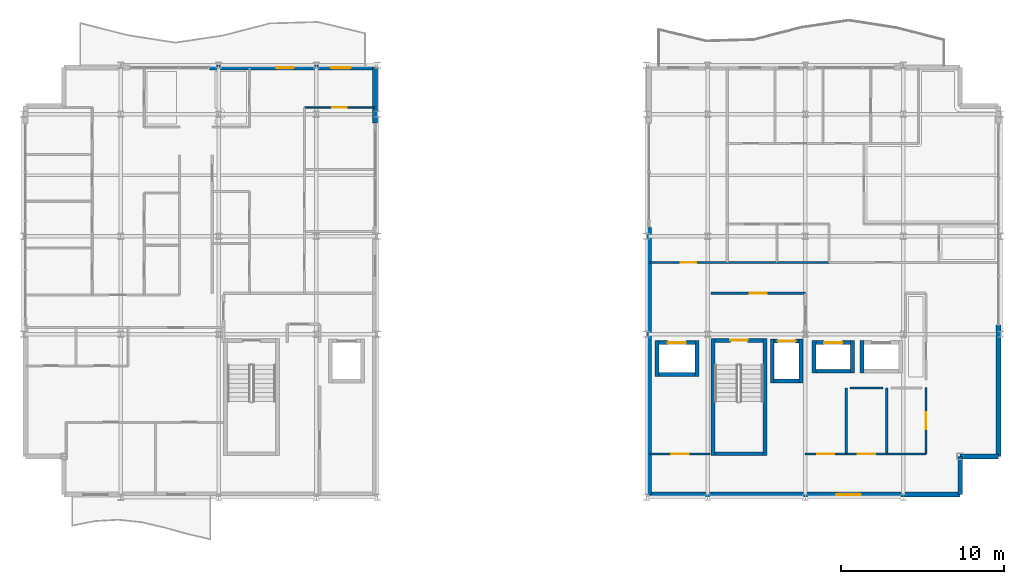
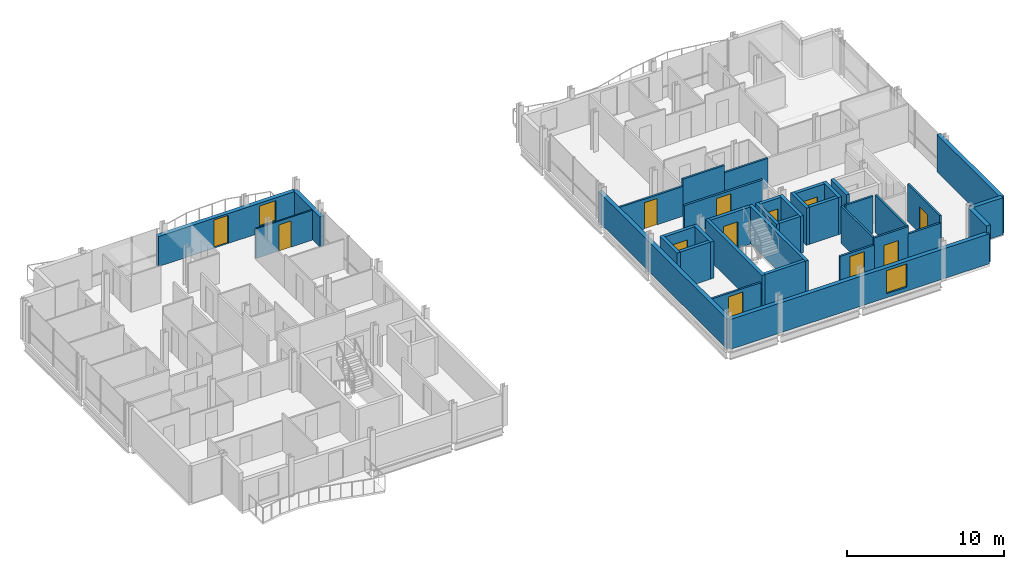
# One storey, part 25 of 29: 37 walls, 12 doors, 2 windows, 14 openings.
"""IFC4 building model written with IfcOpenShell, lengths in metres."""

from ifc_helpers import new_model, si_unit, direction, frame, frame_2d, origin, place, context, subcontext, project, spatial, rectangle, extrude, material, layer, layer_set, type_object, element, fill, save


model = new_model("IFC4")

# Units and contexts
model_context = context("Model", 3, precision=1e-05, world=origin(), true_north=direction((0.0, 1.0)))
body_context = subcontext(model_context, "Body", "Model", "MODEL_VIEW")
ifc_project = project(units=[si_unit("LENGTHUNIT", "METRE"), si_unit("AREAUNIT", "SQUARE_METRE"), si_unit("VOLUMEUNIT", "CUBIC_METRE"), si_unit("PLANEANGLEUNIT", "RADIAN"), si_unit("MASSUNIT", "GRAM", prefix="KILO")], contexts=[model_context])

# Site, building, storey
site_placement = place(None, origin())
site = spatial("IfcSite", under=ifc_project, at=site_placement, CompositionType="ELEMENT")
building_placement = place(site_placement, origin())
building = spatial("IfcBuilding", under=site, at=building_placement, Name="Brevholm Reach", CompositionType="ELEMENT")
storey_placement = place(building_placement, frame((0.0, 0.0, 208.0)))
storey = spatial("IfcBuildingStorey", under=building, at=storey_placement, Name="L63", CompositionType="ELEMENT", Elevation=208.0)

# Walls
ifc_material_1 = material(Name="Concrete C45/55", Category="concrete")
ifc_layer_1 = layer(ifc_material_1, 0.239990234375)
ifc_layer_set_1 = layer_set([ifc_layer_1], Name="Concrete C45/55")
wall_type_1 = type_object("IfcWallType", Name="WAL-COR-240", PredefinedType="SHEAR", material=ifc_layer_set_1)
for number, where, z_axis, x_axis, name in (
    (1, (42.330078125, 2.5400390625, 0.0), (0.0, 0.0, 1.0), (0.0, 1.0, 0.0), "L63 Escape Stair ST-2 Core Wall W"),
    (2, (45.52001953125, 2.5400390625, 0.0), (0.0, 0.0, 1.0), (0.0, 1.0, 0.0), "L63 Escape Stair ST-2 Core Wall E"),
):
    element("IfcWall", number, at=place(storey_placement, frame(where, z_axis=z_axis, x_axis=x_axis)), inside=storey, type_object=wall_type_1, Name=name, PredefinedType="SHEAR", context=body_context, shape_type="SweptSolid", body=[
        extrude(rectangle(XDim=7.199951171875, YDim=0.239990234375, at=frame_2d((3.60009765625, 0.0))), origin(), (0.0, 0.0, 1.0), 2.889892578125),
    ])
wall_1_placement = place(storey_placement, frame((42.449951171875, 2.659912109375, 0.0), z_axis=(0.0, 0.0, 1.0), x_axis=(1.0, 0.0, 0.0)))
element("IfcWall", 3, at=wall_1_placement, inside=storey, type_object=wall_type_1, Name="L63 Escape Stair ST-2 Core Wall S", PredefinedType="SHEAR", context=body_context, shape_type="SweptSolid", body=[
    extrude(rectangle(XDim=2.949951171875, YDim=0.239990234375, at=frame_2d((1.47509765625, 0.0))), origin(), (0.0, 0.0, 1.0), 2.889892578125),
])

# Wall, opening, door
wall_2_placement = place(storey_placement, frame((45.39990234375, 9.6201171875, 0.0), z_axis=(0.0, 0.0, 1.0), x_axis=(-1.0, 0.0, 0.0)))
wall_2 = element("IfcWall", 4, at=wall_2_placement, inside=storey, type_object=wall_type_1, Name="L63 Escape Stair ST-2 Core Wall N", PredefinedType="SHEAR", context=body_context, shape_type="SweptSolid", body=[
    extrude(rectangle(XDim=2.949951171875, YDim=0.239990234375, at=frame_2d((1.47509765625, 0.0))), origin(), (0.0, 0.0, 1.0), 2.889892578125),
])
opening_1_placement = place(wall_2_placement, frame((0.949951171875, 0.0, 0.0)))
opening_1 = element("IfcOpeningElement", 5, at=opening_1_placement, cuts=wall_2, Name="Opening SD-ST-2", PredefinedType="OPENING", context=body_context, shape_type="SweptSolid", body=[
    extrude(rectangle(XDim=1.050048828125, YDim=2.06005859375, at=frame_2d((0.52490234375, 1.030029296875))), frame((0.0, 0.1298828125, 0.0), z_axis=(0.0, -1.0, 0.0), x_axis=(1.0, 0.0, 0.0)), (0.0, 0.0, 1.0), 0.260009765625),
])
ifc_material_2 = material(Name="Hardwood-Lipped Steel-Core Fire and Smoke Door", Category="steel")
door_type_1 = type_object("IfcDoorType", Name="DOR-INT-FD60S", OperationType="NOTDEFINED", PredefinedType="DOOR", material=ifc_material_2)
door_1_placement = place(opening_1_placement, origin())
door_1 = element("IfcDoor", 6, at=door_1_placement, inside=storey, type_object=door_type_1, Name="L63 Protected Stair ST-2 Lobby Door", OperationType="SINGLE_SWING_RIGHT", OverallHeight=2.06005859375, OverallWidth=1.050048828125, PredefinedType="DOOR", context=body_context, shape_type="SweptSolid", body=[
    extrude(rectangle(XDim=1.050048828125, YDim=2.06005859375, at=frame_2d((0.52490234375, 1.030029296875))), frame((0.0, 0.02490234375, 0.0), z_axis=(0.0, -1.0, 0.0), x_axis=(1.0, 0.0, 0.0)), (0.0, 0.0, 1.0), 0.050048828125),
])
fill(opening_1, door_1)

# Walls
for number, where, z_axis, x_axis, name in (
    (7, (45.969970703125, 7.0, 0.0), (0.0, 0.0, 1.0), (0.0, 1.0, 0.0), "L63 Lift FFL-2 Shaft Wall W"),
    (8, (47.72998046875, 7.0, 0.0), (0.0, 0.0, 1.0), (0.0, 1.0, 0.0), "L63 Lift FFL-2 Shaft Wall E"),
):
    element("IfcWall", number, at=place(storey_placement, frame(where, z_axis=z_axis, x_axis=x_axis)), inside=storey, type_object=wall_type_1, Name=name, PredefinedType="SHEAR", context=body_context, shape_type="SweptSolid", body=[
        extrude(rectangle(XDim=2.699951171875, YDim=0.239990234375, at=frame_2d((1.35009765625, 0.0))), origin(), (0.0, 0.0, 1.0), 2.889892578125),
    ])
wall_3_placement = place(storey_placement, frame((46.090087890625, 7.1201171875, 0.0), z_axis=(0.0, 0.0, 1.0), x_axis=(1.0, 0.0, 0.0)))
element("IfcWall", 9, at=wall_3_placement, inside=storey, type_object=wall_type_1, Name="L63 Lift FFL-2 Shaft Wall S", PredefinedType="SHEAR", context=body_context, shape_type="SweptSolid", body=[
    extrude(rectangle(XDim=1.52001953125, YDim=0.239990234375, at=frame_2d((0.760009765625, 0.0))), origin(), (0.0, 0.0, 1.0), 2.889892578125),
])

# Wall, opening, door
wall_4_placement = place(storey_placement, frame((46.090087890625, 9.580078125, 0.0), z_axis=(0.0, 0.0, 1.0), x_axis=(1.0, 0.0, 0.0)))
wall_4 = element("IfcWall", 10, at=wall_4_placement, inside=storey, type_object=wall_type_1, Name="L63 Lift FFL-2 Shaft Wall N", PredefinedType="SHEAR", context=body_context, shape_type="SweptSolid", body=[
    extrude(rectangle(XDim=1.52001953125, YDim=0.239990234375, at=frame_2d((0.760009765625, 0.0))), origin(), (0.0, 0.0, 1.0), 2.889892578125),
])
opening_2_placement = place(wall_4_placement, frame((0.2099609375, 0.0, 0.0)))
opening_2 = element("IfcOpeningElement", 11, at=opening_2_placement, cuts=wall_4, Name="Opening LD-FFL-2", PredefinedType="OPENING", context=body_context, shape_type="SweptSolid", body=[
    extrude(rectangle(XDim=1.10009765625, YDim=2.06005859375, at=frame_2d((0.550048828125, 1.030029296875))), frame((0.0, 0.1298828125, 0.0), z_axis=(0.0, -1.0, 0.0), x_axis=(1.0, 0.0, 0.0)), (0.0, 0.0, 1.0), 0.260009765625),
])
ifc_material_3 = material(Name="Brushed Stainless Steel Fire-Rated Sliding Lift Door", Category="steel")
door_type_2 = type_object("IfcDoorType", Name="DOR-LFT-1100", OperationType="NOTDEFINED", PredefinedType="DOOR", material=ifc_material_3)
door_2_placement = place(opening_2_placement, origin())
door_2 = element("IfcDoor", 12, at=door_2_placement, inside=storey, type_object=door_type_2, Name="L63 Lift FFL-2 Sliding Landing Door", OperationType="SLIDING_TO_RIGHT", OverallHeight=2.06005859375, OverallWidth=1.10009765625, PredefinedType="DOOR", context=body_context, shape_type="SweptSolid", body=[
    extrude(rectangle(XDim=1.10009765625, YDim=2.06005859375, at=frame_2d((0.550048828125, 1.030029296875))), frame((0.0, 0.02490234375, 0.0), z_axis=(0.0, -1.0, 0.0), x_axis=(1.0, 0.0, 0.0)), (0.0, 0.0, 1.0), 0.050048828125),
])
fill(opening_2, door_2)

# Walls
for number, where, z_axis, x_axis, name in (
    (13, (38.889892578125, 7.39990234375, 0.0), (0.0, 0.0, 1.0), (0.0, 1.0, 0.0), "L63 Lift PL-S1 Shaft Wall W"),
    (14, (41.35009765625, 7.39990234375, 0.0), (0.0, 0.0, 1.0), (0.0, 1.0, 0.0), "L63 Lift PL-S1 Shaft Wall E"),
):
    element("IfcWall", number, at=place(storey_placement, frame(where, z_axis=z_axis, x_axis=x_axis)), inside=storey, type_object=wall_type_1, Name=name, PredefinedType="SHEAR", context=body_context, shape_type="SweptSolid", body=[
        extrude(rectangle(XDim=2.2001953125, YDim=0.239990234375, at=frame_2d((1.10009765625, 0.0))), origin(), (0.0, 0.0, 1.0), 2.889892578125),
    ])
wall_5_placement = place(storey_placement, frame((39.010009765625, 7.52001953125, 0.0), z_axis=(0.0, 0.0, 1.0), x_axis=(1.0, 0.0, 0.0)))
element("IfcWall", 15, at=wall_5_placement, inside=storey, type_object=wall_type_1, Name="L63 Lift PL-S1 Shaft Wall S", PredefinedType="SHEAR", context=body_context, shape_type="SweptSolid", body=[
    extrude(rectangle(XDim=2.219970703125, YDim=0.239990234375, at=frame_2d((1.10986328125, 0.0))), origin(), (0.0, 0.0, 1.0), 2.889892578125),
])

# Wall, opening, door
wall_6_placement = place(storey_placement, frame((39.010009765625, 9.47998046875, 0.0), z_axis=(0.0, 0.0, 1.0), x_axis=(1.0, 0.0, 0.0)))
wall_6 = element("IfcWall", 16, at=wall_6_placement, inside=storey, type_object=wall_type_1, Name="L63 Lift PL-S1 Shaft Wall N", PredefinedType="SHEAR", context=body_context, shape_type="SweptSolid", body=[
    extrude(rectangle(XDim=2.219970703125, YDim=0.239990234375, at=frame_2d((1.10986328125, 0.0))), origin(), (0.0, 0.0, 1.0), 2.889892578125),
])
opening_3_placement = place(wall_6_placement, frame((0.56005859375, 0.0, 0.0)))
opening_3 = element("IfcOpeningElement", 17, at=opening_3_placement, cuts=wall_6, Name="Opening LD-PL-S1", PredefinedType="OPENING", context=body_context, shape_type="SweptSolid", body=[
    extrude(rectangle(XDim=1.10009765625, YDim=2.06005859375, at=frame_2d((0.550048828125, 1.030029296875))), frame((0.0, 0.1298828125, 0.0), z_axis=(0.0, -1.0, 0.0), x_axis=(1.0, 0.0, 0.0)), (0.0, 0.0, 1.0), 0.260009765625),
])
door_3_placement = place(opening_3_placement, origin())
door_3 = element("IfcDoor", 18, at=door_3_placement, inside=storey, type_object=door_type_2, Name="L63 Lift PL-S1 Sliding Landing Door", OperationType="SLIDING_TO_LEFT", OverallHeight=2.06005859375, OverallWidth=1.10009765625, PredefinedType="DOOR", context=body_context, shape_type="SweptSolid", body=[
    extrude(rectangle(XDim=1.10009765625, YDim=2.06005859375, at=frame_2d((0.550048828125, 1.030029296875))), frame((0.0, 0.02490234375, 0.0), z_axis=(0.0, -1.0, 0.0), x_axis=(1.0, 0.0, 0.0)), (0.0, 0.0, 1.0), 0.050048828125),
])
fill(opening_3, door_3)

# Walls
for number, where, z_axis, x_axis, name in (
    (19, (48.52001953125, 7.60009765625, 0.0), (0.0, 0.0, 1.0), (0.0, 1.0, 0.0), "L63 Lift PL-H1 Shaft Wall W"),
    (20, (50.8798828125, 7.60009765625, 0.0), (0.0, 0.0, 1.0), (0.0, 1.0, 0.0), "L63 Lift PL-H1 Shaft Wall E"),
):
    element("IfcWall", number, at=place(storey_placement, frame(where, z_axis=z_axis, x_axis=x_axis)), inside=storey, type_object=wall_type_1, Name=name, PredefinedType="SHEAR", context=body_context, shape_type="SweptSolid", body=[
        extrude(rectangle(XDim=2.0, YDim=0.239990234375, at=frame_2d((1.0, 0.0))), origin(), (0.0, 0.0, 1.0), 2.889892578125),
    ])
wall_7_placement = place(storey_placement, frame((48.639892578125, 7.719970703125, 0.0), z_axis=(0.0, 0.0, 1.0), x_axis=(1.0, 0.0, 0.0)))
element("IfcWall", 21, at=wall_7_placement, inside=storey, type_object=wall_type_1, Name="L63 Lift PL-H1 Shaft Wall S", PredefinedType="SHEAR", context=body_context, shape_type="SweptSolid", body=[
    extrude(rectangle(XDim=2.1201171875, YDim=0.239990234375, at=frame_2d((1.06005859375, 0.0))), origin(), (0.0, 0.0, 1.0), 2.889892578125),
])

# Wall, opening, door
wall_8_placement = place(storey_placement, frame((48.639892578125, 9.47998046875, 0.0), z_axis=(0.0, 0.0, 1.0), x_axis=(1.0, 0.0, 0.0)))
wall_8 = element("IfcWall", 22, at=wall_8_placement, inside=storey, type_object=wall_type_1, Name="L63 Lift PL-H1 Shaft Wall N", PredefinedType="SHEAR", context=body_context, shape_type="SweptSolid", body=[
    extrude(rectangle(XDim=2.1201171875, YDim=0.239990234375, at=frame_2d((1.06005859375, 0.0))), origin(), (0.0, 0.0, 1.0), 2.889892578125),
])
opening_4_placement = place(wall_8_placement, frame((0.510009765625, 0.0, 0.0)))
opening_4 = element("IfcOpeningElement", 23, at=opening_4_placement, cuts=wall_8, Name="Opening LD-PL-H1", PredefinedType="OPENING", context=body_context, shape_type="SweptSolid", body=[
    extrude(rectangle(XDim=1.10009765625, YDim=2.06005859375, at=frame_2d((0.550048828125, 1.030029296875))), frame((0.0, 0.1298828125, 0.0), z_axis=(0.0, -1.0, 0.0), x_axis=(1.0, 0.0, 0.0)), (0.0, 0.0, 1.0), 0.260009765625),
])
door_4_placement = place(opening_4_placement, origin())
door_4 = element("IfcDoor", 24, at=door_4_placement, inside=storey, type_object=door_type_2, Name="L63 Lift PL-H1 Sliding Landing Door", OperationType="SLIDING_TO_RIGHT", OverallHeight=2.06005859375, OverallWidth=1.10009765625, PredefinedType="DOOR", context=body_context, shape_type="SweptSolid", body=[
    extrude(rectangle(XDim=1.10009765625, YDim=2.06005859375, at=frame_2d((0.550048828125, 1.030029296875))), frame((0.0, 0.02490234375, 0.0), z_axis=(0.0, -1.0, 0.0), x_axis=(1.0, 0.0, 0.0)), (0.0, 0.0, 1.0), 0.050048828125),
])
fill(opening_4, door_4)

# Walls
wall_9_placement = place(storey_placement, frame((51.469970703125, 7.60009765625, 0.0), z_axis=(0.0, 0.0, 1.0), x_axis=(0.0, 1.0, 0.0)))
element("IfcWall", 25, at=wall_9_placement, inside=storey, type_object=wall_type_1, Name="L63 Lift PL-H2 Shaft Wall W", PredefinedType="SHEAR", context=body_context, shape_type="SweptSolid", body=[
    extrude(rectangle(XDim=2.0, YDim=0.239990234375, at=frame_2d((1.0, 0.0))), origin(), (0.0, 0.0, 1.0), 2.889892578125),
])
ifc_material_4 = material(Name="Concrete C40/50", Category="concrete")
ifc_layer_2 = layer(ifc_material_4, 0.300048828125)
ifc_layer_set_2 = layer_set([ifc_layer_2], Name="Concrete C40/50")
wall_type_2 = type_object("IfcWallType", Name="WAL-EXT-300", PredefinedType="STANDARD", material=ifc_layer_set_2)
for number, where, z_axis, x_axis, name in (
    (26, (57.5, 0.14990234375, 0.0), (0.0, 0.0, 1.0), (0.0, 1.0, 0.0), "L63 Facade Wall WAL-L63-EW-CSE1"),
    (27, (57.5, 2.5, 0.0), (0.0, 0.0, 1.0), (1.0, 0.0, 0.0), "L63 Facade Wall WAL-L63-EW-CSE2"),
):
    element("IfcWall", number, at=place(storey_placement, frame(where, z_axis=z_axis, x_axis=x_axis)), inside=storey, type_object=wall_type_2, Name=name, PredefinedType="STANDARD", context=body_context, shape_type="SweptSolid", body=[
        extrude(rectangle(XDim=2.35009765625, YDim=0.300048828125, at=frame_2d((1.175048828125, 0.0))), origin(), (0.0, 0.0, 1.0), 2.889892578125),
    ])

# Wall, openings, door, window
wall_10_placement = place(storey_placement, frame((11.449951171875, 26.35009765625, 0.0), z_axis=(0.0, 0.0, 1.0), x_axis=(1.0, 0.0, 0.0)))
wall_10 = element("IfcWall", 28, at=wall_10_placement, inside=storey, type_object=wall_type_2, Name="L63 Facade Wall WAL-L63-WW-NP2", PredefinedType="STANDARD", context=body_context, shape_type="SweptSolid", body=[
    extrude(rectangle(XDim=10.150146484375, YDim=0.300048828125, at=frame_2d((5.0751953125, 0.0))), origin(), (0.0, 0.0, 1.0), 2.331787109375),
])
opening_5_placement = place(wall_10_placement, frame((4.073974609375, 0.0, 0.0)))
opening_5 = element("IfcOpeningElement", 29, at=opening_5_placement, cuts=wall_10, Name="Opening BD-01", PredefinedType="OPENING", context=body_context, shape_type="SweptSolid", body=[
    extrude(rectangle(XDim=1.10009765625, YDim=2.199951171875, at=frame_2d((0.550048828125, 1.10009765625))), frame((0.0, 0.159912109375, 0.0), z_axis=(0.0, -1.0, 0.0), x_axis=(1.0, 0.0, 0.0)), (0.0, 0.0, 1.0), 0.320068359375),
])
opening_6_placement = place(wall_10_placement, frame((7.449951171875, 0.0, 0.511962890625)))
opening_6 = element("IfcOpeningElement", 30, at=opening_6_placement, cuts=wall_10, Name="Opening WN-08", PredefinedType="OPENING", context=body_context, shape_type="SweptSolid", body=[
    extrude(rectangle(XDim=1.199951171875, YDim=1.60009765625, at=frame_2d((0.60009765625, 0.800048828125))), frame((0.0, 0.159912109375, 0.0), z_axis=(0.0, -1.0, 0.0), x_axis=(1.0, 0.0, 0.0)), (0.0, 0.0, 1.0), 0.320068359375),
])
ifc_material_5 = material(Name="Dark Anodised Aluminium and Triple-Glazed Glass", Category="aluminium")
door_type_3 = type_object("IfcDoorType", Name="DOR-BALC-1100", OperationType="NOTDEFINED", PredefinedType="DOOR", material=ifc_material_5)
door_5_placement = place(opening_5_placement, origin())
door_5 = element("IfcDoor", 31, at=door_5_placement, inside=storey, type_object=door_type_3, Name="L63 Exterior Door DOR-L63-BL-NW", OperationType="SINGLE_SWING_LEFT", OverallHeight=2.199951171875, OverallWidth=1.10009765625, PredefinedType="DOOR", context=body_context, shape_type="SweptSolid", body=[
    extrude(rectangle(XDim=1.10009765625, YDim=2.199951171875, at=frame_2d((0.550048828125, 1.10009765625))), frame((0.0, 0.02490234375, 0.0), z_axis=(0.0, -1.0, 0.0), x_axis=(1.0, 0.0, 0.0)), (0.0, 0.0, 1.0), 0.050048828125),
])
fill(opening_5, door_5)
ifc_material_6 = material(Name="Dark Anodised Aluminium and Solar-Control IGU Glass", Category="aluminium")
window_type_1 = type_object("IfcWindowType", Name="WIN-RES-1200", PartitioningType="SINGLE_PANEL", PredefinedType="WINDOW", material=ifc_material_6)
window_1_placement = place(opening_6_placement, origin())
window_1 = element("IfcWindow", 32, at=window_1_placement, inside=storey, type_object=window_type_1, Name="L63 Window WIN-L63-WW-NP2", OverallHeight=1.60009765625, OverallWidth=1.199951171875, PartitioningType="SINGLE_PANEL", PredefinedType="WINDOW", context=body_context, shape_type="SweptSolid", body=[
    extrude(rectangle(XDim=1.199951171875, YDim=1.60009765625, at=frame_2d((0.60009765625, 0.800048828125))), frame((0.0, 0.030029296875, 0.0), z_axis=(0.0, -1.0, 0.0), x_axis=(1.0, 0.0, 0.0)), (0.0, 0.0, 1.0), 0.06005859375),
])
fill(opening_6, window_1)

# Walls
wall_11_placement = place(storey_placement, frame((21.60009765625, 22.949951171875, 0.0), z_axis=(0.0, 0.0, 1.0), x_axis=(0.0, 1.0, 0.0)))
element("IfcWall", 33, at=wall_11_placement, inside=storey, type_object=wall_type_2, Name="L63 Facade Wall WAL-L63-VP-WN", PredefinedType="STANDARD", context=body_context, shape_type="SweptSolid", body=[
    extrude(rectangle(XDim=3.400146484375, YDim=0.300048828125, at=frame_2d((1.7001953125, 0.0))), origin(), (0.0, 0.0, 1.0), 2.331787109375),
])
wall_12_placement = place(storey_placement, frame((38.39990234375, 16.550048828125, 0.0), z_axis=(0.0, 0.0, 1.0), x_axis=(0.0, -1.0, 0.0)))
element("IfcWall", 34, at=wall_12_placement, inside=storey, type_object=wall_type_2, Name="L63 Facade Wall WAL-L63-VP-ES", PredefinedType="STANDARD", context=body_context, shape_type="SweptSolid", body=[
    extrude(rectangle(XDim=16.400146484375, YDim=0.300048828125, at=frame_2d((8.2001953125, 0.0))), origin(), (0.0, 0.0, 1.0), 2.331787109375),
])

# Wall, opening, window
wall_13_placement = place(storey_placement, frame((38.39990234375, 0.14990234375, 0.0), z_axis=(0.0, 0.0, 1.0), x_axis=(1.0, 0.0, 0.0)))
wall_13 = element("IfcWall", 35, at=wall_13_placement, inside=storey, type_object=wall_type_2, Name="L63 Facade Wall WAL-L63-EW-S", PredefinedType="STANDARD", context=body_context, shape_type="SweptSolid", body=[
    extrude(rectangle(XDim=19.10009765625, YDim=0.300048828125, at=frame_2d((9.550048828125, 0.0))), origin(), (0.0, 0.0, 1.0), 2.331787109375),
])
opening_7_placement = place(wall_13_placement, frame((11.5, 0.0, 0.31201171875)))
opening_7 = element("IfcOpeningElement", 36, at=opening_7_placement, cuts=wall_13, Name="Opening WN-05", PredefinedType="OPENING", context=body_context, shape_type="SweptSolid", body=[
    extrude(rectangle(XDim=1.5, YDim=1.800048828125, at=frame_2d((0.75, 0.89990234375))), frame((0.0, 0.159912109375, 0.0), z_axis=(0.0, -1.0, 0.0), x_axis=(1.0, 0.0, 0.0)), (0.0, 0.0, 1.0), 0.320068359375),
])
ifc_material_7 = material(Name="Dark Anodised Aluminium and Solar-Control IGU Glass", Category="aluminium")
window_type_2 = type_object("IfcWindowType", Name="WIN-RES-1500", PartitioningType="SINGLE_PANEL", PredefinedType="WINDOW", material=ifc_material_7)
window_2_placement = place(opening_7_placement, origin())
window_2 = element("IfcWindow", 37, at=window_2_placement, inside=storey, type_object=window_type_2, Name="L63 Window WIN-L63-EWS-1", OverallHeight=1.800048828125, OverallWidth=1.5, PartitioningType="SINGLE_PANEL", PredefinedType="WINDOW", context=body_context, shape_type="SweptSolid", body=[
    extrude(rectangle(XDim=1.5, YDim=1.800048828125, at=frame_2d((0.75, 0.89990234375))), frame((0.0, 0.030029296875, 0.0), z_axis=(0.0, -1.0, 0.0), x_axis=(1.0, 0.0, 0.0)), (0.0, 0.0, 1.0), 0.06005859375),
])
fill(opening_7, window_2)

# Wall
wall_14_placement = place(storey_placement, frame((59.85009765625, 2.5, 0.0), z_axis=(0.0, 0.0, 1.0), x_axis=(0.0, 1.0, 0.0)))
element("IfcWall", 38, at=wall_14_placement, inside=storey, type_object=wall_type_2, Name="L63 Facade Wall WAL-L63-EW-ES", PredefinedType="STANDARD", context=body_context, shape_type="SweptSolid", body=[
    extrude(rectangle(XDim=8.050048828125, YDim=0.300048828125, at=frame_2d((4.02490234375, 0.0))), origin(), (0.0, 0.0, 1.0), 2.889892578125),
])

# Wall, opening, door
ifc_material_8 = material(Name="Moisture-Resistant Acoustic Gypsum Stud Partition 100 mm", Category="gypsum")
ifc_layer_3 = layer(ifc_material_8, 0.10009765625)
ifc_layer_set_3 = layer_set([ifc_layer_3], Name="Moisture-Resistant Acoustic Gypsum Stud Partition 100 mm")
wall_type_3 = type_object("IfcWallType", Name="WAL-PRT-100", PredefinedType="PARTITIONING", material=ifc_layer_set_3)
wall_15_placement = place(storey_placement, frame((17.27099609375, 23.89990234375, 0.0), z_axis=(0.0, 0.0, 1.0), x_axis=(1.0, 0.0, 0.0)))
wall_15 = element("IfcWall", 39, at=wall_15_placement, inside=storey, type_object=wall_type_3, Name="L63 Internal Partition 071", PredefinedType="PARTITIONING", context=body_context, shape_type="SweptSolid", body=[
    extrude(rectangle(XDim=4.279052734375, YDim=0.10009765625, at=frame_2d((2.1396484375, 0.0))), origin(), (0.0, 0.0, 1.0), 2.325439453125),
])
opening_8_placement = place(wall_15_placement, frame((1.699462890625, 0.0, 0.0)))
opening_8 = element("IfcOpeningElement", 40, at=opening_8_placement, cuts=wall_15, Name="Opening ID-01", PredefinedType="OPENING", context=body_context, shape_type="SweptSolid", body=[
    extrude(rectangle(XDim=0.8798828125, YDim=2.0400390625, at=frame_2d((0.43994140625, 1.02001953125))), frame((0.0, 0.06005859375, 0.0), z_axis=(0.0, -1.0, 0.0), x_axis=(1.0, 0.0, 0.0)), (0.0, 0.0, 1.0), 0.1201171875),
])
ifc_material_9 = material(Name="Lacquered Ash Solid-Core Acoustic Internal Door", Category="timber")
door_type_4 = type_object("IfcDoorType", Name="DOR-INT-880", OperationType="NOTDEFINED", PredefinedType="DOOR", material=ifc_material_9)
door_6_placement = place(opening_8_placement, origin())
door_6 = element("IfcDoor", 41, at=door_6_placement, inside=storey, type_object=door_type_4, Name="L63 Internal Door 032", OperationType="SINGLE_SWING_LEFT", OverallHeight=2.0400390625, OverallWidth=0.8798828125, PredefinedType="DOOR", context=body_context, shape_type="SweptSolid", body=[
    extrude(rectangle(XDim=0.8798828125, YDim=2.0400390625, at=frame_2d((0.43994140625, 1.02001953125))), frame((0.0, 0.02490234375, 0.0), z_axis=(0.0, -1.0, 0.0), x_axis=(1.0, 0.0, 0.0)), (0.0, 0.0, 1.0), 0.050048828125),
])
fill(opening_8, door_6)

ifc_material_10 = material(Name="Twin-Stud Acoustic Fire-Rated Gypsum Partition 140 mm", Category="gypsum")
ifc_layer_4 = layer(ifc_material_10, 0.139892578125)
ifc_layer_set_4 = layer_set([ifc_layer_4], Name="Twin-Stud Acoustic Fire-Rated Gypsum Partition 140 mm")
wall_type_4 = type_object("IfcWallType", Name="WAL-PRT-140", PredefinedType="PARTITIONING", material=ifc_layer_set_4)
wall_16_placement = place(storey_placement, frame((55.39990234375, 2.64990234375, 0.0), z_axis=(0.0, 0.0, 1.0), x_axis=(0.0, 1.0, 0.0)))
wall_16 = element("IfcWall", 42, at=wall_16_placement, inside=storey, type_object=wall_type_4, Name="L63 Internal Partition 005", PredefinedType="PARTITIONING", context=body_context, shape_type="SweptSolid", body=[
    extrude(rectangle(XDim=4.061279296875, YDim=0.139892578125, at=frame_2d((2.03076171875, 0.0))), origin(), (0.0, 0.0, 1.0), 2.889892578125),
])
opening_9_placement = place(wall_16_placement, frame((1.505615234375, 0.0, 0.0)))
opening_9 = element("IfcOpeningElement", 43, at=opening_9_placement, cuts=wall_16, Name="Opening FD-01", PredefinedType="OPENING", context=body_context, shape_type="SweptSolid", body=[
    extrude(rectangle(XDim=1.050048828125, YDim=2.06005859375, at=frame_2d((0.52490234375, 1.030029296875))), frame((0.0, 0.079833984375, 0.0), z_axis=(0.0, -1.0, 0.0), x_axis=(1.0, 0.0, 0.0)), (0.0, 0.0, 1.0), 0.159912109375),
])
door_7_placement = place(opening_9_placement, origin())
door_7 = element("IfcDoor", 44, at=door_7_placement, inside=storey, type_object=door_type_1, Name="L63 Internal Door 003", OperationType="SINGLE_SWING_RIGHT", OverallHeight=2.06005859375, OverallWidth=1.050048828125, PredefinedType="DOOR", context=body_context, shape_type="SweptSolid", body=[
    extrude(rectangle(XDim=1.050048828125, YDim=2.06005859375, at=frame_2d((0.52490234375, 1.030029296875))), frame((0.0, 0.02490234375, 0.0), z_axis=(0.0, -1.0, 0.0), x_axis=(1.0, 0.0, 0.0)), (0.0, 0.0, 1.0), 0.050048828125),
])
fill(opening_9, door_7)

wall_17_placement = place(storey_placement, frame((38.449951171875, 2.64990234375, 0.0), z_axis=(0.0, 0.0, 1.0), x_axis=(1.0, 0.0, 0.0)))
wall_17 = element("IfcWall", 45, at=wall_17_placement, inside=storey, type_object=wall_type_4, Name="L63 Internal Partition 007", PredefinedType="PARTITIONING", context=body_context, shape_type="SweptSolid", body=[
    extrude(rectangle(XDim=3.71142578125, YDim=0.139892578125, at=frame_2d((1.855712890625, 0.0))), origin(), (0.0, 0.0, 1.0), 2.325439453125),
])
opening_10_placement = place(wall_17_placement, frame((1.33056640625, 0.0, 0.0)))
opening_10 = element("IfcOpeningElement", 46, at=opening_10_placement, cuts=wall_17, Name="Opening FD-01", PredefinedType="OPENING", context=body_context, shape_type="SweptSolid", body=[
    extrude(rectangle(XDim=1.050048828125, YDim=2.06005859375, at=frame_2d((0.52490234375, 1.030029296875))), frame((0.0, 0.079833984375, 0.0), z_axis=(0.0, -1.0, 0.0), x_axis=(1.0, 0.0, 0.0)), (0.0, 0.0, 1.0), 0.159912109375),
])
door_8_placement = place(opening_10_placement, origin())
door_8 = element("IfcDoor", 47, at=door_8_placement, inside=storey, type_object=door_type_1, Name="L63 Internal Door 005", OperationType="SINGLE_SWING_RIGHT", OverallHeight=2.06005859375, OverallWidth=1.050048828125, PredefinedType="DOOR", context=body_context, shape_type="SweptSolid", body=[
    extrude(rectangle(XDim=1.050048828125, YDim=2.06005859375, at=frame_2d((0.52490234375, 1.030029296875))), frame((0.0, 0.02490234375, 0.0), z_axis=(0.0, -1.0, 0.0), x_axis=(1.0, 0.0, 0.0)), (0.0, 0.0, 1.0), 0.050048828125),
])
fill(opening_10, door_8)

wall_18_placement = place(storey_placement, frame((47.98876953125, 2.64990234375, 0.0), z_axis=(0.0, 0.0, 1.0), x_axis=(1.0, 0.0, 0.0)))
wall_18 = element("IfcWall", 48, at=wall_18_placement, inside=storey, type_object=wall_type_4, Name="L63 Internal Partition 008", PredefinedType="PARTITIONING", context=body_context, shape_type="SweptSolid", body=[
    extrude(rectangle(XDim=2.5224609375, YDim=0.139892578125, at=frame_2d((1.26123046875, 0.0))), origin(), (0.0, 0.0, 1.0), 2.325439453125),
])
opening_11_placement = place(wall_18_placement, frame((0.736328125, 0.0, 0.0)))
opening_11 = element("IfcOpeningElement", 49, at=opening_11_placement, cuts=wall_18, Name="Opening FD-01", PredefinedType="OPENING", context=body_context, shape_type="SweptSolid", body=[
    extrude(rectangle(XDim=1.050048828125, YDim=2.06005859375, at=frame_2d((0.52490234375, 1.030029296875))), frame((0.0, 0.079833984375, 0.0), z_axis=(0.0, -1.0, 0.0), x_axis=(1.0, 0.0, 0.0)), (0.0, 0.0, 1.0), 0.159912109375),
])
door_9_placement = place(opening_11_placement, origin())
door_9 = element("IfcDoor", 50, at=door_9_placement, inside=storey, type_object=door_type_1, Name="L63 Internal Door 006", OperationType="SINGLE_SWING_LEFT", OverallHeight=2.06005859375, OverallWidth=1.050048828125, PredefinedType="DOOR", context=body_context, shape_type="SweptSolid", body=[
    extrude(rectangle(XDim=1.050048828125, YDim=2.06005859375, at=frame_2d((0.52490234375, 1.030029296875))), frame((0.0, 0.02490234375, 0.0), z_axis=(0.0, -1.0, 0.0), x_axis=(1.0, 0.0, 0.0)), (0.0, 0.0, 1.0), 0.050048828125),
])
fill(opening_11, door_9)

wall_19_placement = place(storey_placement, frame((50.49267578125, 2.64990234375, 0.0), z_axis=(0.0, 0.0, 1.0), x_axis=(1.0, 0.0, 0.0)))
wall_19 = element("IfcWall", 51, at=wall_19_placement, inside=storey, type_object=wall_type_4, Name="L63 Internal Partition 009", PredefinedType="PARTITIONING", context=body_context, shape_type="SweptSolid", body=[
    extrude(rectangle(XDim=2.5185546875, YDim=0.139892578125, at=frame_2d((1.25927734375, 0.0))), origin(), (0.0, 0.0, 1.0), 2.889892578125),
])
opening_12_placement = place(wall_19_placement, frame((0.734375, 0.0, 0.0)))
opening_12 = element("IfcOpeningElement", 52, at=opening_12_placement, cuts=wall_19, Name="Opening FD-01", PredefinedType="OPENING", context=body_context, shape_type="SweptSolid", body=[
    extrude(rectangle(XDim=1.050048828125, YDim=2.06005859375, at=frame_2d((0.52490234375, 1.030029296875))), frame((0.0, 0.079833984375, 0.0), z_axis=(0.0, -1.0, 0.0), x_axis=(1.0, 0.0, 0.0)), (0.0, 0.0, 1.0), 0.159912109375),
])
door_10_placement = place(opening_12_placement, origin())
door_10 = element("IfcDoor", 53, at=door_10_placement, inside=storey, type_object=door_type_1, Name="L63 Internal Door 007", OperationType="SINGLE_SWING_RIGHT", OverallHeight=2.06005859375, OverallWidth=1.050048828125, PredefinedType="DOOR", context=body_context, shape_type="SweptSolid", body=[
    extrude(rectangle(XDim=1.050048828125, YDim=2.06005859375, at=frame_2d((0.52490234375, 1.030029296875))), frame((0.0, 0.02490234375, 0.0), z_axis=(0.0, -1.0, 0.0), x_axis=(1.0, 0.0, 0.0)), (0.0, 0.0, 1.0), 0.050048828125),
])
fill(opening_12, door_10)

# Walls
wall_20_placement = place(storey_placement, frame((52.99267578125, 2.64990234375, 0.0), z_axis=(0.0, 0.0, 1.0), x_axis=(1.0, 0.0, 0.0)))
element("IfcWall", 54, at=wall_20_placement, inside=storey, type_object=wall_type_4, Name="L63 Internal Partition 010", PredefinedType="PARTITIONING", context=body_context, shape_type="SweptSolid", body=[
    extrude(rectangle(XDim=2.4033203125, YDim=0.139892578125, at=frame_2d((1.20166015625, 0.0))), origin(), (0.0, 0.0, 1.0), 2.325439453125),
])
for number, where, z_axis, x_axis, name in (
    (55, (50.5, 2.654052734375, 0.0), (0.0, 0.0, 1.0), (0.0, 1.0, 0.0), "L63 Internal Partition 011"),
    (56, (53.0, 2.654052734375, 0.0), (0.0, 0.0, 1.0), (0.0, 1.0, 0.0), "L63 Internal Partition 012"),
):
    element("IfcWall", number, at=place(storey_placement, frame(where, z_axis=z_axis, x_axis=x_axis)), inside=storey, type_object=wall_type_4, Name=name, PredefinedType="PARTITIONING", context=body_context, shape_type="SweptSolid", body=[
        extrude(rectangle(XDim=4.0458984375, YDim=0.139892578125, at=frame_2d((2.02294921875, 0.0))), origin(), (0.0, 0.0, 1.0), 2.889892578125),
    ])

# Wall, opening, door
wall_21_placement = place(storey_placement, frame((38.449951171875, 14.39990234375, 0.0), z_axis=(0.0, 0.0, 1.0), x_axis=(1.0, 0.0, 0.0)))
wall_21 = element("IfcWall", 57, at=wall_21_placement, inside=storey, type_object=wall_type_4, Name="L63 Internal Partition 034", PredefinedType="PARTITIONING", context=body_context, shape_type="SweptSolid", body=[
    extrude(rectangle(XDim=4.76123046875, YDim=0.139892578125, at=frame_2d((2.380615234375, 0.0))), origin(), (0.0, 0.0, 1.0), 2.325439453125),
])
opening_13_placement = place(wall_21_placement, frame((1.905517578125, 0.0, 0.0)))
opening_13 = element("IfcOpeningElement", 58, at=opening_13_placement, cuts=wall_21, Name="Opening ID-30", PredefinedType="OPENING", context=body_context, shape_type="SweptSolid", body=[
    extrude(rectangle(XDim=0.949951171875, YDim=2.050048828125, at=frame_2d((0.47509765625, 1.02490234375))), frame((0.0, 0.079833984375, 0.0), z_axis=(0.0, -1.0, 0.0), x_axis=(1.0, 0.0, 0.0)), (0.0, 0.0, 1.0), 0.159912109375),
])
ifc_material_11 = material(Name="European Oak Veneered Solid-Core Fire Entrance Door", Category="timber")
door_type_5 = type_object("IfcDoorType", Name="DOR-FLT-FD30S", OperationType="NOTDEFINED", PredefinedType="DOOR", material=ifc_material_11)
door_11_placement = place(opening_13_placement, origin())
door_11 = element("IfcDoor", 59, at=door_11_placement, inside=storey, type_object=door_type_5, Name="L63 Internal Door 014", OperationType="SINGLE_SWING_LEFT", OverallHeight=2.050048828125, OverallWidth=0.949951171875, PredefinedType="DOOR", context=body_context, shape_type="SweptSolid", body=[
    extrude(rectangle(XDim=0.949951171875, YDim=2.050048828125, at=frame_2d((0.47509765625, 1.02490234375))), frame((0.0, 0.02490234375, 0.0), z_axis=(0.0, -1.0, 0.0), x_axis=(1.0, 0.0, 0.0)), (0.0, 0.0, 1.0), 0.050048828125),
])
fill(opening_13, door_11)

# Walls
wall_22_placement = place(storey_placement, frame((43.192626953125, 14.39990234375, 0.0), z_axis=(0.0, 0.0, 1.0), x_axis=(1.0, 0.0, 0.0)))
element("IfcWall", 60, at=wall_22_placement, inside=storey, type_object=wall_type_4, Name="L63 Internal Partition 035", PredefinedType="PARTITIONING", context=body_context, shape_type="SweptSolid", body=[
    extrude(rectangle(XDim=3.068603515625, YDim=0.139892578125, at=frame_2d((1.5341796875, 0.0))), origin(), (0.0, 0.0, 1.0), 2.889892578125),
])
wall_23_placement = place(storey_placement, frame((46.24267578125, 14.39990234375, 0.0), z_axis=(0.0, 0.0, 1.0), x_axis=(1.0, 0.0, 0.0)))
element("IfcWall", 61, at=wall_23_placement, inside=storey, type_object=wall_type_4, Name="L63 Internal Partition 036", PredefinedType="PARTITIONING", context=body_context, shape_type="SweptSolid", body=[
    extrude(rectangle(XDim=3.218505859375, YDim=0.139892578125, at=frame_2d((1.609375, 0.0))), origin(), (0.0, 0.0, 1.0), 2.325439453125),
])
wall_24_placement = place(storey_placement, frame((50.739990234375, 6.699951171875, 0.0), z_axis=(0.0, 0.0, 1.0), x_axis=(1.0, 0.0, 0.0)))
element("IfcWall", 62, at=wall_24_placement, inside=storey, type_object=wall_type_4, Name="L63 Internal Partition 093", PredefinedType="PARTITIONING", context=body_context, shape_type="SweptSolid", body=[
    extrude(rectangle(XDim=2.02001953125, YDim=0.139892578125, at=frame_2d((1.010009765625, 0.0))), origin(), (0.0, 0.0, 1.0), 2.889892578125),
])

# Wall, opening, door
ifc_material_12 = material(Name="Twin-Frame Fire-Rated Gypsum Board and Mineral Wool 160 mm", Category="gypsum")
ifc_layer_5 = layer(ifc_material_12, 0.159912109375)
ifc_layer_set_5 = layer_set([ifc_layer_5], Name="Twin-Frame Fire-Rated Gypsum Board and Mineral Wool 160 mm")
wall_type_5 = type_object("IfcWallType", Name="WAL-PRT-160", PredefinedType="PARTITIONING", material=ifc_layer_set_5)
wall_25_placement = place(storey_placement, frame((42.199951171875, 12.5, 0.0), z_axis=(0.0, 0.0, 1.0), x_axis=(1.0, 0.0, 0.0)))
wall_25 = element("IfcWall", 63, at=wall_25_placement, inside=storey, type_object=wall_type_5, Name="L63 Internal Partition 031", PredefinedType="PARTITIONING", context=body_context, shape_type="SweptSolid", body=[
    extrude(rectangle(XDim=5.800048828125, YDim=0.159912109375, at=frame_2d((2.89990234375, 0.0))), origin(), (0.0, 0.0, 1.0), 2.325439453125),
])
opening_14_placement = place(wall_25_placement, frame((2.375, 0.0, 0.0)))
opening_14 = element("IfcOpeningElement", 64, at=opening_14_placement, cuts=wall_25, Name="Opening FD-01", PredefinedType="OPENING", context=body_context, shape_type="SweptSolid", body=[
    extrude(rectangle(XDim=1.050048828125, YDim=2.06005859375, at=frame_2d((0.52490234375, 1.030029296875))), frame((0.0, 0.08984375, 0.0), z_axis=(0.0, -1.0, 0.0), x_axis=(1.0, 0.0, 0.0)), (0.0, 0.0, 1.0), 0.179931640625),
])
door_12_placement = place(opening_14_placement, origin())
door_12 = element("IfcDoor", 65, at=door_12_placement, inside=storey, type_object=door_type_1, Name="L63 Internal Door 013", OperationType="SINGLE_SWING_RIGHT", OverallHeight=2.06005859375, OverallWidth=1.050048828125, PredefinedType="DOOR", context=body_context, shape_type="SweptSolid", body=[
    extrude(rectangle(XDim=1.050048828125, YDim=2.06005859375, at=frame_2d((0.52490234375, 1.030029296875))), frame((0.0, 0.02490234375, 0.0), z_axis=(0.0, -1.0, 0.0), x_axis=(1.0, 0.0, 0.0)), (0.0, 0.0, 1.0), 0.050048828125),
])
fill(opening_14, door_12)

save(model, "model.ifc")
